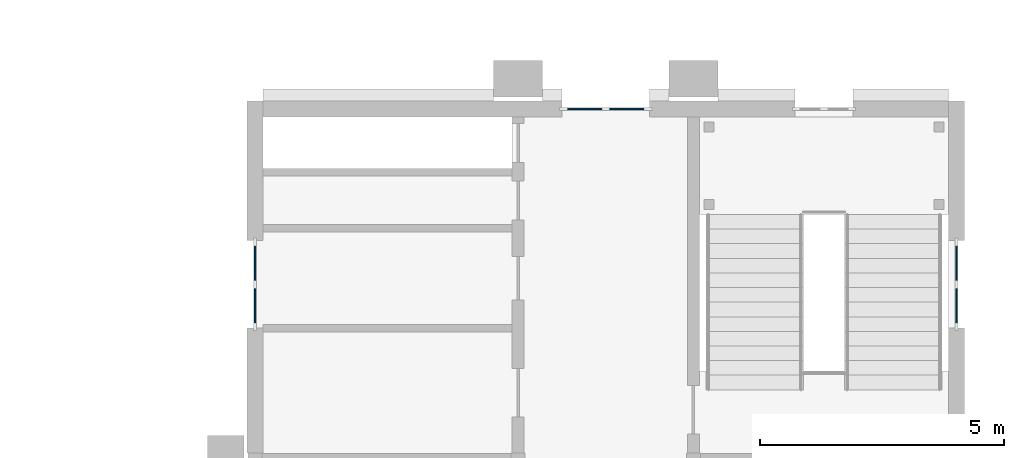
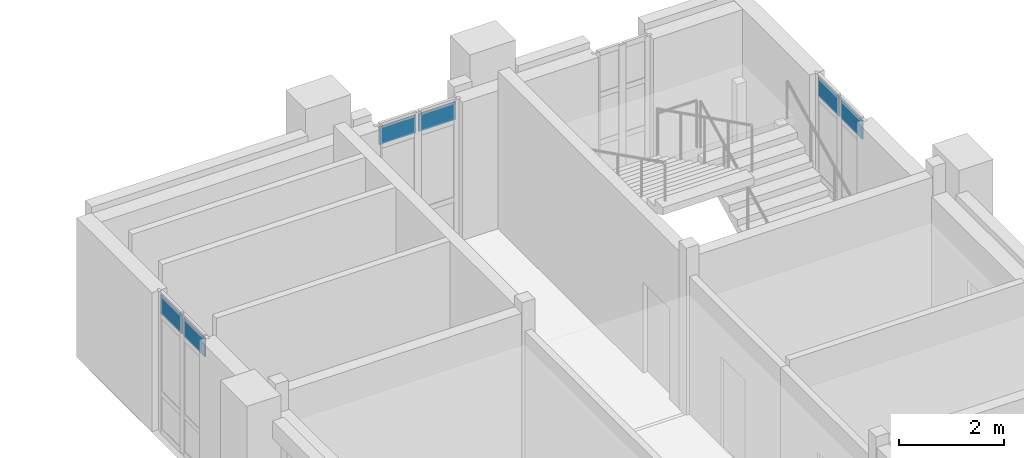
# One storey, part 38 of 69: 6 plates, 3 elements without a shape of their own.
"""IFC4 building model written with IfcOpenShell, lengths in metres."""

from ifc_helpers import new_model, si_unit, direction, frame, origin, origin_2d, place, context, subcontext, project, spatial, rectangle, extrude, material, layer, layer_set, type_object, element, aggregate, save


model = new_model("IFC4")

# Units and contexts
model_context = context("Model", 3, precision=1e-05, world=origin(), true_north=direction((0.0, 1.0)))
body_context = subcontext(model_context, "Body", "Model", "MODEL_VIEW")
ifc_project = project(units=[si_unit("LENGTHUNIT", "METRE"), si_unit("AREAUNIT", "SQUARE_METRE"), si_unit("VOLUMEUNIT", "CUBIC_METRE"), si_unit("PLANEANGLEUNIT", "RADIAN"), si_unit("MASSUNIT", "GRAM", prefix="KILO")], contexts=[model_context])

# Site, building, storey
site_placement = place(None, origin())
site = spatial("IfcSite", under=ifc_project, at=site_placement, CompositionType="ELEMENT")
building_placement = place(site_placement, origin())
building = spatial("IfcBuilding", under=site, at=building_placement, Name="Mazhai Court Health Centre", CompositionType="ELEMENT")
storey_placement = place(building_placement, frame((0.0, 0.0, 6.300048828125)))
storey = spatial("IfcBuildingStorey", under=building, at=storey_placement, Name="L01", CompositionType="ELEMENT", Elevation=6.300048828125)

# Curtain wall, plates
ifc_material_1 = material(Name="Teak timber frame, glazed", Category="wood")
ifc_layer_1 = layer(ifc_material_1, 0.10009765625)
ifc_layer_set_1 = layer_set([ifc_layer_1], Name="CURTAIN WALL TIMBER 900")
curtain_wall_type = type_object("IfcCurtainWallType", Name="CURTAIN WALL TIMBER 900", PredefinedType="NOTDEFINED", material=ifc_layer_set_1)
curtain_wall_1_placement = place(storey_placement, origin())
curtain_wall_1 = element("IfcCurtainWall", 1, at=curtain_wall_1_placement, inside=storey, type_object=curtain_wall_type, Name="CW-V6-L01-A5", PredefinedType="NOTDEFINED")
ifc_material_2 = material(Name="Glass IGU 28 mm", Category="glass")
ifc_layer_2 = layer(ifc_material_2, 0.028076171875)
ifc_layer_set_2 = layer_set([ifc_layer_2], Name="CW PANEL IGU 28")
plate_type = type_object("IfcPlateType", Name="CW PANEL IGU 28", PredefinedType="CURTAIN_PANEL", material=ifc_layer_set_2)
plate_1_placement = place(storey_placement, frame((135.800048828125, 45.364990234375, 2.72998046875), z_axis=(0.0, 0.0, 1.0), x_axis=(0.0, 1.0, 0.0)))
plate_1 = element("IfcPlate", 2, at=plate_1_placement, type_object=plate_type, Name="CW panel 1.3", PredefinedType="CURTAIN_PANEL", context=body_context, shape_type="SweptSolid", body=[
    extrude(rectangle(XDim=0.81005859375, YDim=0.028076171875, at=origin_2d()), origin(), (0.0, 0.0, 1.0), 0.429931640625),
])
plate_2_placement = place(storey_placement, frame((135.800048828125, 46.235107421875, 2.72998046875), z_axis=(0.0, 0.0, 1.0), x_axis=(0.0, 1.0, 0.0)))
plate_2 = element("IfcPlate", 3, at=plate_2_placement, type_object=plate_type, Name="CW panel 2.3", PredefinedType="CURTAIN_PANEL", context=body_context, shape_type="SweptSolid", body=[
    extrude(rectangle(XDim=0.81005859375, YDim=0.028076171875, at=origin_2d()), origin(), (0.0, 0.0, 1.0), 0.429931640625),
])
aggregate(curtain_wall_1, [plate_1, plate_2])

curtain_wall_2_placement = place(storey_placement, origin())
curtain_wall_2 = element("IfcCurtainWall", 4, at=curtain_wall_2_placement, inside=storey, type_object=curtain_wall_type, Name="CW-V6-L01-B5", PredefinedType="NOTDEFINED")
plate_3_placement = place(storey_placement, frame((150.199951171875, 46.235107421875, 2.72998046875), z_axis=(0.0, 0.0, 1.0), x_axis=(0.0, -1.0, 0.0)))
plate_3 = element("IfcPlate", 5, at=plate_3_placement, type_object=plate_type, Name="CW panel 1.3", PredefinedType="CURTAIN_PANEL", context=body_context, shape_type="SweptSolid", body=[
    extrude(rectangle(XDim=0.81005859375, YDim=0.028076171875, at=origin_2d()), origin(), (0.0, 0.0, 1.0), 0.429931640625),
])
plate_4_placement = place(storey_placement, frame((150.199951171875, 45.364990234375, 2.72998046875), z_axis=(0.0, 0.0, 1.0), x_axis=(0.0, -1.0, 0.0)))
plate_4 = element("IfcPlate", 6, at=plate_4_placement, type_object=plate_type, Name="CW panel 2.3", PredefinedType="CURTAIN_PANEL", context=body_context, shape_type="SweptSolid", body=[
    extrude(rectangle(XDim=0.81005859375, YDim=0.028076171875, at=origin_2d()), origin(), (0.0, 0.0, 1.0), 0.429931640625),
])
aggregate(curtain_wall_2, [plate_3, plate_4])

curtain_wall_3_placement = place(storey_placement, origin())
curtain_wall_3 = element("IfcCurtainWall", 7, at=curtain_wall_3_placement, inside=storey, type_object=curtain_wall_type, Name="CW-V6-L01-ELIFT0", PredefinedType="NOTDEFINED")
plate_5_placement = place(storey_placement, frame((142.56494140625, 49.39990234375, 2.72998046875), z_axis=(0.0, 0.0, 1.0), x_axis=(1.0, 0.0, 0.0)))
plate_5 = element("IfcPlate", 8, at=plate_5_placement, type_object=plate_type, Name="CW panel 1.3", PredefinedType="CURTAIN_PANEL", context=body_context, shape_type="SweptSolid", body=[
    extrude(rectangle(XDim=0.81005859375, YDim=0.028076171875, at=origin_2d()), origin(), (0.0, 0.0, 1.0), 0.409912109375),
])
plate_6_placement = place(storey_placement, frame((143.43505859375, 49.39990234375, 2.72998046875), z_axis=(0.0, 0.0, 1.0), x_axis=(1.0, 0.0, 0.0)))
plate_6 = element("IfcPlate", 9, at=plate_6_placement, type_object=plate_type, Name="CW panel 2.3", PredefinedType="CURTAIN_PANEL", context=body_context, shape_type="SweptSolid", body=[
    extrude(rectangle(XDim=0.81005859375, YDim=0.028076171875, at=origin_2d()), origin(), (0.0, 0.0, 1.0), 0.409912109375),
])
aggregate(curtain_wall_3, [plate_5, plate_6])

save(model, "model.ifc")
